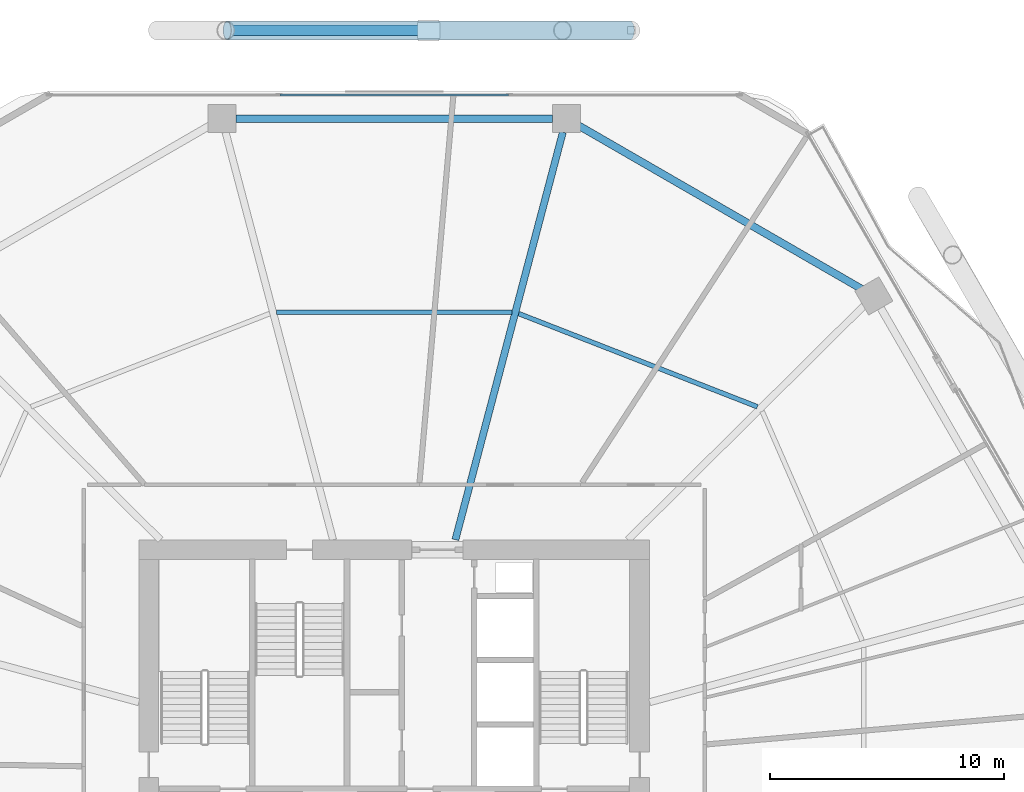
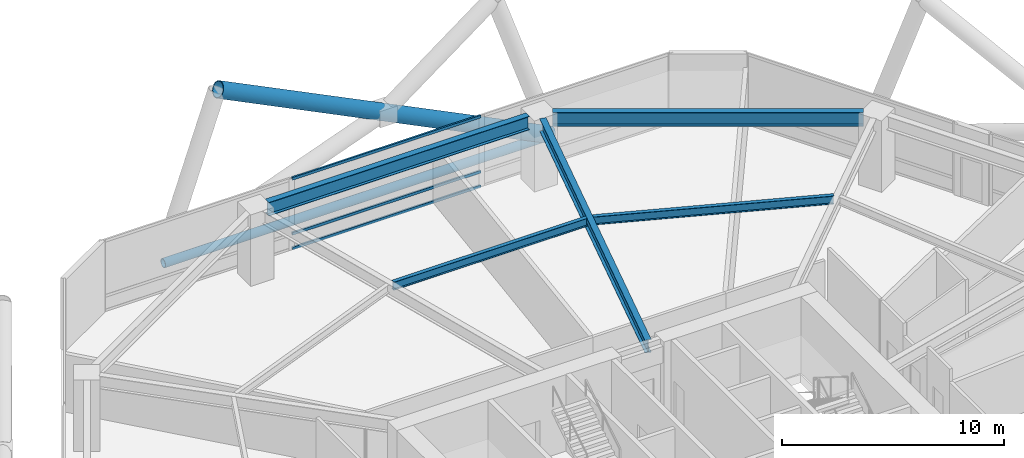
# One storey, part 20 of 31: 5 beams, 5 members, 1 element without a shape of its own.
"""IFC4 building model written with IfcOpenShell, lengths in metres."""

from ifc_helpers import new_model, si_unit, direction, frame, origin, origin_2d, place, context, subcontext, project, spatial, hollow_rectangle, hollow_circle, i_section, extrude, material, material_profile, profile_set, type_object, element, aggregate, save


model = new_model("IFC4")

# Units and contexts
model_context = context("Model", 3, precision=1e-05, world=origin(), true_north=direction((0.0, 1.0)))
body_context = subcontext(model_context, "Body", "Model", "MODEL_VIEW")
ifc_project = project(units=[si_unit("LENGTHUNIT", "METRE"), si_unit("AREAUNIT", "SQUARE_METRE"), si_unit("VOLUMEUNIT", "CUBIC_METRE"), si_unit("PLANEANGLEUNIT", "RADIAN"), si_unit("MASSUNIT", "GRAM", prefix="KILO")], contexts=[model_context])

# Site, building, storey
site_placement = place(None, origin())
site = spatial("IfcSite", under=ifc_project, at=site_placement, CompositionType="ELEMENT")
building_placement = place(site_placement, origin())
building = spatial("IfcBuilding", under=site, at=building_placement, Name="Zuhravey Tower", CompositionType="ELEMENT")
storey_placement = place(building_placement, frame((0.0, 0.0, 7.800048828125)))
storey = spatial("IfcBuildingStorey", under=building, at=storey_placement, Name="L02", CompositionType="ELEMENT", Elevation=7.800048828125)

# Curtain wall, members
ifc_material_1 = material(Name="Thermally broken anodised aluminium", Category="aluminium")
curtain_wall_type = type_object("IfcCurtainWallType", Name="School Low-E Unitised Curtain Wall CW1", PredefinedType="NOTDEFINED", material=ifc_material_1)
curtain_wall_placement = place(storey_placement, origin())
curtain_wall = element("IfcCurtainWall", 1, at=curtain_wall_placement, inside=storey, type_object=curtain_wall_type, Name="L02 CW1 CW-L02-F2-1", PredefinedType="NOTDEFINED")
ifc_material_2 = material(Name="Anodised aluminium", Category="aluminium")
ifc_material_profile_1 = material_profile(ifc_material_2, hollow_rectangle(XDim=0.090087890625, YDim=0.14990234375, WallThickness=0.0048828125, at=origin_2d()), Name="ALU-RHS-90x150x5")
ifc_profile_set_1 = profile_set([ifc_material_profile_1], Name="Anodised aluminium")
member_type_1 = type_object("IfcMemberType", Name="Curtain-Wall Transom 90x150", PredefinedType="USERDEFINED", material=ifc_profile_set_1)
member_1_placement = place(storey_placement, frame((31.11181640625, 60.95849609375, 0.044921875), z_axis=(1.0, 0.0, 0.0), x_axis=(0.0, 1.0, 0.0)))
member_1 = element("IfcMember", 2, at=member_1_placement, type_object=member_type_1, Name="CW1 transom 2.1", ObjectType="TRANSOM", PredefinedType="USERDEFINED", context=body_context, shape_type="SweptSolid", body=[
    extrude(hollow_rectangle(XDim=0.090087890625, YDim=0.14990234375, WallThickness=0.0048828125, at=origin_2d()), origin(), (0.0, 0.0, 1.0), 9.7763671875),
])
member_2_placement = place(storey_placement, frame((31.11181640625, 60.95849609375, 0.849853515625), z_axis=(1.0, 0.0, 0.0), x_axis=(0.0, 1.0, 0.0)))
member_2 = element("IfcMember", 3, at=member_2_placement, type_object=member_type_1, Name="CW1 transom 2.2", ObjectType="TRANSOM", PredefinedType="USERDEFINED", context=body_context, shape_type="SweptSolid", body=[
    extrude(hollow_rectangle(XDim=0.090087890625, YDim=0.14990234375, WallThickness=0.0048828125, at=origin_2d()), origin(), (0.0, 0.0, 1.0), 9.7763671875),
])
member_3_placement = place(storey_placement, frame((31.11181640625, 60.95849609375, 3.875), z_axis=(1.0, 0.0, 0.0), x_axis=(0.0, 1.0, 0.0)))
member_3 = element("IfcMember", 4, at=member_3_placement, type_object=member_type_1, Name="CW1 transom 2.3", ObjectType="TRANSOM", PredefinedType="USERDEFINED", context=body_context, shape_type="SweptSolid", body=[
    extrude(hollow_rectangle(XDim=0.090087890625, YDim=0.14990234375, WallThickness=0.0048828125, at=origin_2d()), origin(), (0.0, 0.0, 1.0), 9.7763671875),
])
aggregate(curtain_wall, [member_1, member_2, member_3])

# Members
ifc_material_3 = material(Name="Steel SM355", Category="steel")
ifc_material_profile_2 = material_profile(ifc_material_3, hollow_circle(Radius=0.228515625, WallThickness=0.02197265625, at=origin_2d()), Name="CHS-457.2x22")
ifc_profile_set_2 = profile_set([ifc_material_profile_2], Name="Steel SM355")
member_type_2 = type_object("IfcMemberType", Name="Exoskeleton Ring Tie CHS457x22", PredefinedType="CHORD", material=ifc_profile_set_2)
member_4_placement = place(storey_placement, frame((45.996826171875, 63.718505859375, -0.6640625), z_axis=(-1.0, 0.0, 0.0), x_axis=(0.0, -1.0, 0.0)))
element("IfcMember", 5, at=member_4_placement, inside=storey, type_object=member_type_2, Name="L02 Exoskeleton Face 2 Tie EXR1", PredefinedType="CHORD", context=body_context, shape_type="SweptSolid", body=[
    extrude(hollow_circle(Radius=0.228515625, WallThickness=0.02197265625, at=origin_2d()), origin(), (0.0, 0.0, 1.0), 19.99365234375),
])
ifc_material_4 = material(Name="Steel SM460", Category="steel")
ifc_material_profile_3 = material_profile(ifc_material_4, hollow_circle(Radius=0.406494140625, WallThickness=0.035888671875, at=origin_2d()), Name="CHS-812.8x36")
ifc_profile_set_3 = profile_set([ifc_material_profile_3], Name="Steel SM460")
member_type_3 = type_object("IfcMemberType", Name="Exoskeleton Zone 1 Diagrid CHS813x36", PredefinedType="BRACE", material=ifc_profile_set_3)
member_5_placement = place(storey_placement, frame((46.09228515625, 63.718505859375, -0.64208984375), z_axis=(-0.896388430818, 0.0, 0.443269422694), x_axis=(0.0, -1.0, 0.0)))
element("IfcMember", 6, at=member_5_placement, inside=storey, type_object=member_type_3, Name="L02 Face 2 Diagrid Brace 2", PredefinedType="BRACE", context=body_context, shape_type="SweptSolid", body=[
    extrude(hollow_circle(Radius=0.406494140625, WallThickness=0.035888671875, at=origin_2d()), origin(), (0.0, 0.0, 1.0), 19.234619140625),
])

# Beams
ifc_material_profile_4 = material_profile(ifc_material_3, i_section(OverallWidth=0.320068359375, OverallDepth=0.75, WebThickness=0.013916015625, FlangeThickness=0.02490234375, at=origin_2d()), Name="H-750x320x14x25")
ifc_profile_set_4 = profile_set([ifc_material_profile_4], Name="Steel SM355")
beam_type_1 = type_object("IfcBeamType", Name="Perimeter Ring Beam H750x320", PredefinedType="BEAM", material=ifc_profile_set_4)
beam_1_placement = place(storey_placement, frame((55.996826171875, 52.658447265625, 3.544921875), z_axis=(-0.866029969761, 0.499992091414, 0.0), x_axis=(-0.499992091414, -0.866029969761, 0.0)))
element("IfcBeam", 7, at=beam_1_placement, inside=storey, type_object=beam_type_1, Name="L02 PB1 BM-L02-PB-02", PredefinedType="BEAM", context=body_context, shape_type="SweptSolid", body=[
    extrude(i_section(OverallWidth=0.320068359375, OverallDepth=0.75, WebThickness=0.013916015625, FlangeThickness=0.02490234375, at=origin_2d()), origin(), (0.0, 0.0, 1.0), 13.977294921875),
])
beam_2_placement = place(storey_placement, frame((42.76708984375, 59.948486328125, 3.544921875), z_axis=(-1.0, 0.0, 0.0), x_axis=(0.0, -1.0, 0.0)))
element("IfcBeam", 8, at=beam_2_placement, inside=storey, type_object=beam_type_1, Name="L02 PB1 BM-L02-PB-03", PredefinedType="BEAM", context=body_context, shape_type="SweptSolid", body=[
    extrude(i_section(OverallWidth=0.320068359375, OverallDepth=0.75, WebThickness=0.013916015625, FlangeThickness=0.02490234375, at=origin_2d()), origin(), (0.0, 0.0, 1.0), 13.5341796875),
])
ifc_material_profile_5 = material_profile(ifc_material_3, i_section(OverallWidth=0.300048828125, OverallDepth=0.699951171875, WebThickness=0.012939453125, FlangeThickness=0.02392578125, at=origin_2d()), Name="H-700x300x13x24")
ifc_profile_set_5 = profile_set([ifc_material_profile_5], Name="Steel SM355")
beam_type_2 = type_object("IfcBeamType", Name="Radial Primary Girder H700x300", PredefinedType="BEAM", material=ifc_profile_set_5)
beam_3_placement = place(storey_placement, frame((38.617919921875, 41.927978515625, 3.570068359375), z_axis=(0.254989720435, 0.966943763862, 0.0), x_axis=(-0.966943763862, 0.254989720435, 0.0)))
element("IfcBeam", 9, at=beam_3_placement, inside=storey, type_object=beam_type_2, Name="L02 RG1 BM-L02-RAD-03", PredefinedType="BEAM", context=body_context, shape_type="SweptSolid", body=[
    extrude(i_section(OverallWidth=0.300048828125, OverallDepth=0.699951171875, WebThickness=0.012939453125, FlangeThickness=0.02392578125, at=origin_2d()), origin(), (0.0, 0.0, 1.0), 18.03369140625),
])
ifc_material_profile_6 = material_profile(ifc_material_3, i_section(OverallWidth=0.199951171875, OverallDepth=0.449951171875, WebThickness=0.009033203125, FlangeThickness=0.013916015625, at=origin_2d()), Name="H-450x200x9x14")
ifc_profile_set_6 = profile_set([ifc_material_profile_6], Name="Steel SM355")
beam_type_3 = type_object("IfcBeamType", Name="Secondary Floor Joist H450x200", PredefinedType="JOIST", material=ifc_profile_set_6)
beam_4_placement = place(storey_placement, frame((51.5400390625, 47.61572265625, 3.695068359375), z_axis=(-0.931516535886, 0.363698973562, 0.0), x_axis=(-0.363698973562, -0.931516535886, 0.0)))
element("IfcBeam", 10, at=beam_4_placement, inside=storey, type_object=beam_type_3, Name="L02 SJ1 BM-L02-SJ-02-1", PredefinedType="JOIST", context=body_context, shape_type="SweptSolid", body=[
    extrude(i_section(OverallWidth=0.199951171875, OverallDepth=0.449951171875, WebThickness=0.009033203125, FlangeThickness=0.013916015625, at=origin_2d()), origin(), (0.0, 0.0, 1.0), 10.963134765625),
])
beam_5_placement = place(storey_placement, frame((41.030029296875, 51.6591796875, 3.695068359375), z_axis=(-1.0, 0.0, 0.0), x_axis=(0.0, -1.0, 0.0)))
element("IfcBeam", 11, at=beam_5_placement, inside=storey, type_object=beam_type_3, Name="L02 SJ1 BM-L02-SJ-03-1", PredefinedType="JOIST", context=body_context, shape_type="SweptSolid", body=[
    extrude(i_section(OverallWidth=0.199951171875, OverallDepth=0.449951171875, WebThickness=0.009033203125, FlangeThickness=0.013916015625, at=origin_2d()), origin(), (0.0, 0.0, 1.0), 10.06005859375),
])

save(model, "model.ifc")
